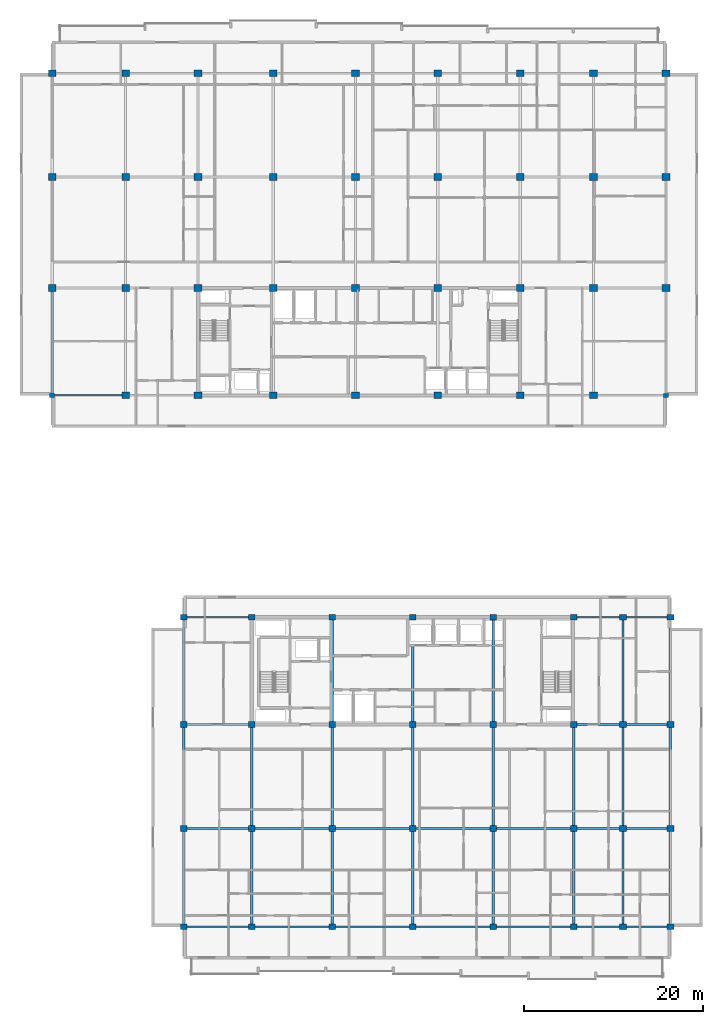
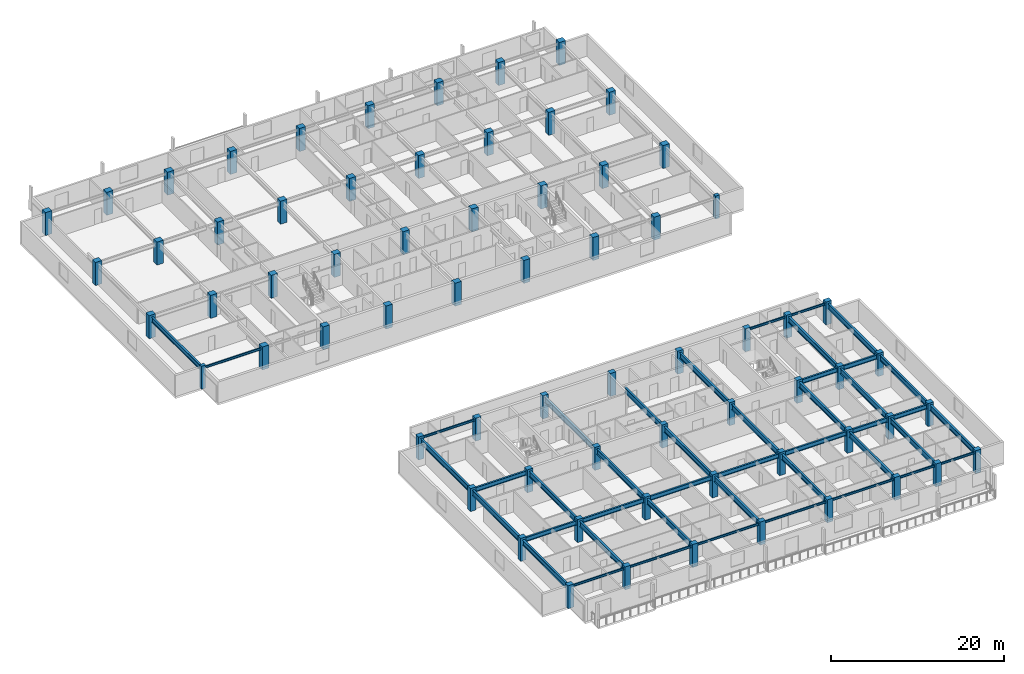
# One storey, part 1 of 22: 68 columns, 44 beams.
"""IFC4 building model written with IfcOpenShell, lengths in metres."""

from ifc_helpers import new_model, si_unit, direction, frame, origin, origin_2d, place, context, subcontext, project, spatial, rectangle, i_section, extrude, material, material_profile, profile_set, type_object, element, save


model = new_model("IFC4")

# Units and contexts
model_context = context("Model", 3, precision=1e-05, world=origin(), true_north=direction((0.0, 1.0)))
body_context = subcontext(model_context, "Body", "Model", "MODEL_VIEW")
ifc_project = project(units=[si_unit("LENGTHUNIT", "METRE"), si_unit("AREAUNIT", "SQUARE_METRE"), si_unit("VOLUMEUNIT", "CUBIC_METRE"), si_unit("PLANEANGLEUNIT", "RADIAN"), si_unit("MASSUNIT", "GRAM", prefix="KILO")], contexts=[model_context])

# Site, building, storey
site_placement = place(None, origin())
site = spatial("IfcSite", under=ifc_project, at=site_placement, CompositionType="ELEMENT")
building_placement = place(site_placement, origin())
building = spatial("IfcBuilding", under=site, at=building_placement, Name="Korimba Cascade Residences", CompositionType="ELEMENT")
storey_placement = place(building_placement, frame((0.0, 0.0, 191.35009765625)))
storey = spatial("IfcBuildingStorey", under=building, at=storey_placement, Name="L55", CompositionType="ELEMENT", Elevation=191.35009765625)

# Columns
ifc_material_1 = material(Name="Concrete C65/80", Category="concrete")
ifc_material_profile_1 = material_profile(ifc_material_1, rectangle(XDim=0.550048828125, YDim=0.449951171875, at=origin_2d()), Name="Concrete C65/80")
ifc_profile_set_1 = profile_set([ifc_material_profile_1], Name="Concrete C65/80")
column_type_1 = type_object("IfcColumnType", Name="COL-PIL-550", PredefinedType="PILASTER", material=ifc_profile_set_1)
for number, where, z_axis, x_axis, name in (
    (1, (59.800048828125, 55.199951171875, 0.0), (0.0, 0.0, 1.0), (1.0, 0.0, 0.0), "L55 Tower 1 Column 1.1"),
    (2, (128.39990234375, 55.199951171875, 0.0), (0.0, 0.0, 1.0), (1.0, 0.0, 0.0), "L55 Tower 1 Column 9.1"),
):
    element("IfcColumn", number, at=place(storey_placement, frame(where, z_axis=z_axis, x_axis=x_axis)), inside=storey, type_object=column_type_1, Name=name, PredefinedType="PILASTER", context=body_context, shape_type="SweptSolid", body=[
        extrude(rectangle(XDim=0.550048828125, YDim=0.449951171875, at=origin_2d()), origin(), (0.0, 0.0, 1.0), 3.25),
    ])
ifc_material_2 = material(Name="Concrete C50/60", Category="concrete")
ifc_material_profile_2 = material_profile(ifc_material_2, rectangle(XDim=0.75, YDim=0.64990234375, at=origin_2d()), Name="Concrete C50/60")
ifc_profile_set_2 = profile_set([ifc_material_profile_2], Name="Concrete C50/60")
column_type_2 = type_object("IfcColumnType", Name="COL-RC-750", PredefinedType="COLUMN", material=ifc_profile_set_2)
for number, where, z_axis, x_axis, name in (
    (3, (74.5, -4.199951171875, 0.0), (0.0, 0.0, 1.0), (1.0, 0.0, 0.0), "L55 Tower 2 Column 1.1"),
    (4, (74.5, 6.800048828125, 0.0), (0.0, 0.0, 1.0), (1.0, 0.0, 0.0), "L55 Tower 2 Column 1.2"),
    (5, (74.5, 18.39990234375, 0.0), (0.0, 0.0, 1.0), (1.0, 0.0, 0.0), "L55 Tower 2 Column 1.3"),
    (6, (74.5, 30.39990234375, 0.0), (0.0, 0.0, 1.0), (1.0, 0.0, 0.0), "L55 Tower 2 Column 1.4"),
    (7, (82.10009765625, -4.199951171875, 0.0), (0.0, 0.0, 1.0), (1.0, 0.0, 0.0), "L55 Tower 2 Column 2.1"),
    (8, (82.10009765625, 6.800048828125, 0.0), (0.0, 0.0, 1.0), (1.0, 0.0, 0.0), "L55 Tower 2 Column 2.2"),
    (9, (82.10009765625, 18.39990234375, 0.0), (0.0, 0.0, 1.0), (1.0, 0.0, 0.0), "L55 Tower 2 Column 2.3"),
    (10, (82.10009765625, 30.39990234375, 0.0), (0.0, 0.0, 1.0), (1.0, 0.0, 0.0), "L55 Tower 2 Column 2.4"),
    (11, (91.10009765625, -4.199951171875, 0.0), (0.0, 0.0, 1.0), (1.0, 0.0, 0.0), "L55 Tower 2 Column 3.1"),
    (12, (91.10009765625, 6.800048828125, 0.0), (0.0, 0.0, 1.0), (1.0, 0.0, 0.0), "L55 Tower 2 Column 3.2"),
    (13, (91.10009765625, 18.39990234375, 0.0), (0.0, 0.0, 1.0), (1.0, 0.0, 0.0), "L55 Tower 2 Column 3.3"),
    (14, (91.10009765625, 30.39990234375, 0.0), (0.0, 0.0, 1.0), (1.0, 0.0, 0.0), "L55 Tower 2 Column 3.4"),
    (15, (100.10009765625, -4.199951171875, 0.0), (0.0, 0.0, 1.0), (1.0, 0.0, 0.0), "L55 Tower 2 Column 4.1"),
    (16, (100.10009765625, 6.800048828125, 0.0), (0.0, 0.0, 1.0), (1.0, 0.0, 0.0), "L55 Tower 2 Column 4.2"),
    (17, (100.10009765625, 18.39990234375, 0.0), (0.0, 0.0, 1.0), (1.0, 0.0, 0.0), "L55 Tower 2 Column 4.3"),
    (18, (100.10009765625, 30.39990234375, 0.0), (0.0, 0.0, 1.0), (1.0, 0.0, 0.0), "L55 Tower 2 Column 4.4"),
    (19, (109.10009765625, -4.199951171875, 0.0), (0.0, 0.0, 1.0), (1.0, 0.0, 0.0), "L55 Tower 2 Column 5.1"),
    (20, (109.10009765625, 6.800048828125, 0.0), (0.0, 0.0, 1.0), (1.0, 0.0, 0.0), "L55 Tower 2 Column 5.2"),
    (21, (109.10009765625, 18.39990234375, 0.0), (0.0, 0.0, 1.0), (1.0, 0.0, 0.0), "L55 Tower 2 Column 5.3"),
    (22, (109.10009765625, 30.39990234375, 0.0), (0.0, 0.0, 1.0), (1.0, 0.0, 0.0), "L55 Tower 2 Column 5.4"),
    (23, (118.10009765625, -4.199951171875, 0.0), (0.0, 0.0, 1.0), (1.0, 0.0, 0.0), "L55 Tower 2 Column 6.1"),
    (24, (118.10009765625, 6.800048828125, 0.0), (0.0, 0.0, 1.0), (1.0, 0.0, 0.0), "L55 Tower 2 Column 6.2"),
    (25, (118.10009765625, 18.39990234375, 0.0), (0.0, 0.0, 1.0), (1.0, 0.0, 0.0), "L55 Tower 2 Column 6.3"),
    (26, (118.10009765625, 30.39990234375, 0.0), (0.0, 0.0, 1.0), (1.0, 0.0, 0.0), "L55 Tower 2 Column 6.4"),
    (27, (123.60009765625, -4.199951171875, 0.0), (0.0, 0.0, 1.0), (1.0, 0.0, 0.0), "L55 Tower 2 Column 7.1"),
    (28, (123.60009765625, 6.800048828125, 0.0), (0.0, 0.0, 1.0), (1.0, 0.0, 0.0), "L55 Tower 2 Column 7.2"),
    (29, (123.60009765625, 18.39990234375, 0.0), (0.0, 0.0, 1.0), (1.0, 0.0, 0.0), "L55 Tower 2 Column 7.3"),
    (30, (123.60009765625, 30.39990234375, 0.0), (0.0, 0.0, 1.0), (1.0, 0.0, 0.0), "L55 Tower 2 Column 7.4"),
    (31, (128.89990234375, -4.199951171875, 0.0), (0.0, 0.0, 1.0), (1.0, 0.0, 0.0), "L55 Tower 2 Column 8.1"),
    (32, (128.89990234375, 6.800048828125, 0.0), (0.0, 0.0, 1.0), (1.0, 0.0, 0.0), "L55 Tower 2 Column 8.2"),
    (33, (128.89990234375, 18.39990234375, 0.0), (0.0, 0.0, 1.0), (1.0, 0.0, 0.0), "L55 Tower 2 Column 8.3"),
    (34, (128.89990234375, 30.39990234375, 0.0), (0.0, 0.0, 1.0), (1.0, 0.0, 0.0), "L55 Tower 2 Column 8.4"),
):
    element("IfcColumn", number, at=place(storey_placement, frame(where, z_axis=z_axis, x_axis=x_axis)), inside=storey, type_object=column_type_2, Name=name, PredefinedType="COLUMN", context=body_context, shape_type="SweptSolid", body=[
        extrude(rectangle(XDim=0.75, YDim=0.64990234375, at=origin_2d()), origin(), (0.0, 0.0, 1.0), 3.25),
    ])
ifc_material_profile_3 = material_profile(ifc_material_1, rectangle(XDim=0.85009765625, YDim=0.75, at=origin_2d()), Name="Concrete C65/80")
ifc_profile_set_3 = profile_set([ifc_material_profile_3], Name="Concrete C65/80")
column_type_3 = type_object("IfcColumnType", Name="COL-RC-850", PredefinedType="COLUMN", material=ifc_profile_set_3)
for number, where, z_axis, x_axis, name in (
    (35, (59.800048828125, 67.199951171875, 0.0), (0.0, 0.0, 1.0), (1.0, 0.0, 0.0), "L55 Tower 1 Column 1.2"),
    (36, (59.800048828125, 79.60009765625, 0.0), (0.0, 0.0, 1.0), (1.0, 0.0, 0.0), "L55 Tower 1 Column 1.3"),
    (37, (59.800048828125, 91.199951171875, 0.0), (0.0, 0.0, 1.0), (1.0, 0.0, 0.0), "L55 Tower 1 Column 1.4"),
    (38, (68.0, 55.199951171875, 0.0), (0.0, 0.0, 1.0), (1.0, 0.0, 0.0), "L55 Tower 1 Column 2.1"),
    (39, (68.0, 67.199951171875, 0.0), (0.0, 0.0, 1.0), (1.0, 0.0, 0.0), "L55 Tower 1 Column 2.2"),
    (40, (68.0, 79.60009765625, 0.0), (0.0, 0.0, 1.0), (1.0, 0.0, 0.0), "L55 Tower 1 Column 2.3"),
    (41, (68.0, 91.199951171875, 0.0), (0.0, 0.0, 1.0), (1.0, 0.0, 0.0), "L55 Tower 1 Column 2.4"),
    (42, (76.10009765625, 55.199951171875, 0.0), (0.0, 0.0, 1.0), (1.0, 0.0, 0.0), "L55 Tower 1 Column 3.1"),
    (43, (76.10009765625, 67.199951171875, 0.0), (0.0, 0.0, 1.0), (1.0, 0.0, 0.0), "L55 Tower 1 Column 3.2"),
    (44, (76.10009765625, 79.60009765625, 0.0), (0.0, 0.0, 1.0), (1.0, 0.0, 0.0), "L55 Tower 1 Column 3.3"),
    (45, (76.10009765625, 91.199951171875, 0.0), (0.0, 0.0, 1.0), (1.0, 0.0, 0.0), "L55 Tower 1 Column 3.4"),
    (46, (84.5, 55.199951171875, 0.0), (0.0, 0.0, 1.0), (1.0, 0.0, 0.0), "L55 Tower 1 Column 4.1"),
    (47, (84.5, 67.199951171875, 0.0), (0.0, 0.0, 1.0), (1.0, 0.0, 0.0), "L55 Tower 1 Column 4.2"),
    (48, (84.5, 79.60009765625, 0.0), (0.0, 0.0, 1.0), (1.0, 0.0, 0.0), "L55 Tower 1 Column 4.3"),
    (49, (84.5, 91.199951171875, 0.0), (0.0, 0.0, 1.0), (1.0, 0.0, 0.0), "L55 Tower 1 Column 4.4"),
    (50, (93.699951171875, 55.199951171875, 0.0), (0.0, 0.0, 1.0), (1.0, 0.0, 0.0), "L55 Tower 1 Column 5.1"),
    (51, (93.699951171875, 67.199951171875, 0.0), (0.0, 0.0, 1.0), (1.0, 0.0, 0.0), "L55 Tower 1 Column 5.2"),
    (52, (93.699951171875, 79.60009765625, 0.0), (0.0, 0.0, 1.0), (1.0, 0.0, 0.0), "L55 Tower 1 Column 5.3"),
    (53, (93.699951171875, 91.199951171875, 0.0), (0.0, 0.0, 1.0), (1.0, 0.0, 0.0), "L55 Tower 1 Column 5.4"),
    (54, (102.89990234375, 55.199951171875, 0.0), (0.0, 0.0, 1.0), (1.0, 0.0, 0.0), "L55 Tower 1 Column 6.1"),
    (55, (102.89990234375, 67.199951171875, 0.0), (0.0, 0.0, 1.0), (1.0, 0.0, 0.0), "L55 Tower 1 Column 6.2"),
    (56, (102.89990234375, 79.60009765625, 0.0), (0.0, 0.0, 1.0), (1.0, 0.0, 0.0), "L55 Tower 1 Column 6.3"),
    (57, (102.89990234375, 91.199951171875, 0.0), (0.0, 0.0, 1.0), (1.0, 0.0, 0.0), "L55 Tower 1 Column 6.4"),
    (58, (112.10009765625, 55.199951171875, 0.0), (0.0, 0.0, 1.0), (1.0, 0.0, 0.0), "L55 Tower 1 Column 7.1"),
    (59, (112.10009765625, 67.199951171875, 0.0), (0.0, 0.0, 1.0), (1.0, 0.0, 0.0), "L55 Tower 1 Column 7.2"),
    (60, (112.10009765625, 79.60009765625, 0.0), (0.0, 0.0, 1.0), (1.0, 0.0, 0.0), "L55 Tower 1 Column 7.3"),
    (61, (112.10009765625, 91.199951171875, 0.0), (0.0, 0.0, 1.0), (1.0, 0.0, 0.0), "L55 Tower 1 Column 7.4"),
    (62, (120.300048828125, 55.199951171875, 0.0), (0.0, 0.0, 1.0), (1.0, 0.0, 0.0), "L55 Tower 1 Column 8.1"),
    (63, (120.300048828125, 67.199951171875, 0.0), (0.0, 0.0, 1.0), (1.0, 0.0, 0.0), "L55 Tower 1 Column 8.2"),
    (64, (120.300048828125, 79.60009765625, 0.0), (0.0, 0.0, 1.0), (1.0, 0.0, 0.0), "L55 Tower 1 Column 8.3"),
    (65, (120.300048828125, 91.199951171875, 0.0), (0.0, 0.0, 1.0), (1.0, 0.0, 0.0), "L55 Tower 1 Column 8.4"),
    (66, (128.39990234375, 67.199951171875, 0.0), (0.0, 0.0, 1.0), (1.0, 0.0, 0.0), "L55 Tower 1 Column 9.2"),
    (67, (128.39990234375, 79.60009765625, 0.0), (0.0, 0.0, 1.0), (1.0, 0.0, 0.0), "L55 Tower 1 Column 9.3"),
    (68, (128.39990234375, 91.199951171875, 0.0), (0.0, 0.0, 1.0), (1.0, 0.0, 0.0), "L55 Tower 1 Column 9.4"),
):
    element("IfcColumn", number, at=place(storey_placement, frame(where, z_axis=z_axis, x_axis=x_axis)), inside=storey, type_object=column_type_3, Name=name, PredefinedType="COLUMN", context=body_context, shape_type="SweptSolid", body=[
        extrude(rectangle(XDim=0.85009765625, YDim=0.75, at=origin_2d()), origin(), (0.0, 0.0, 1.0), 3.25),
    ])

# Beams
ifc_material_3 = material(Name="Steel S355", Category="steel")
ifc_material_profile_4 = material_profile(ifc_material_3, i_section(OverallWidth=0.165771484375, OverallDepth=0.306640625, WebThickness=0.006591796875, FlangeThickness=0.01171875, FilletRadius=0.0087890625, at=origin_2d()), Name="Steel S355")
ifc_profile_set_4 = profile_set([ifc_material_profile_4], Name="Steel S355")
beam_type_1 = type_object("IfcBeamType", Name="BM-STL-UB305", PredefinedType="SPANDREL", material=ifc_profile_set_4)
beam_1_placement = place(storey_placement, frame((60.074951171875, 55.199951171875, 2.816650390625), z_axis=(1.0, 0.0, 0.0), x_axis=(0.0, 1.0, 0.0)))
element("IfcBeam", 69, at=beam_1_placement, inside=storey, type_object=beam_type_1, Name="L55 T1 E-W Girder Y1 Bay 1", PredefinedType="SPANDREL", context=body_context, shape_type="SweptSolid", body=[
    extrude(i_section(OverallWidth=0.165771484375, OverallDepth=0.306640625, WebThickness=0.006591796875, FlangeThickness=0.01171875, FilletRadius=0.0087890625, at=origin_2d()), origin(), (0.0, 0.0, 1.0), 7.5),
])
beam_2_placement = place(storey_placement, frame((74.875, -4.199951171875, 2.816650390625), z_axis=(1.0, 0.0, 0.0), x_axis=(0.0, 1.0, 0.0)))
element("IfcBeam", 70, at=beam_2_placement, inside=storey, type_object=beam_type_1, Name="L55 T2 E-W Girder Y1 Bay 1", PredefinedType="SPANDREL", context=body_context, shape_type="SweptSolid", body=[
    extrude(i_section(OverallWidth=0.165771484375, OverallDepth=0.306640625, WebThickness=0.006591796875, FlangeThickness=0.01171875, FilletRadius=0.0087890625, at=origin_2d()), origin(), (0.0, 0.0, 1.0), 6.85009765625),
])
for number, where, z_axis, x_axis, name in (
    (71, (82.47509765625, -4.199951171875, 2.816650390625), (1.0, 0.0, 0.0), (0.0, 1.0, 0.0), "L55 T2 E-W Girder Y1 Bay 2"),
    (72, (91.47509765625, -4.199951171875, 2.816650390625), (1.0, 0.0, 0.0), (0.0, 1.0, 0.0), "L55 T2 E-W Girder Y1 Bay 3"),
    (73, (100.47509765625, -4.199951171875, 2.816650390625), (1.0, 0.0, 0.0), (0.0, 1.0, 0.0), "L55 T2 E-W Girder Y1 Bay 4"),
    (74, (109.47509765625, -4.199951171875, 2.816650390625), (1.0, 0.0, 0.0), (0.0, 1.0, 0.0), "L55 T2 E-W Girder Y1 Bay 5"),
):
    element("IfcBeam", number, at=place(storey_placement, frame(where, z_axis=z_axis, x_axis=x_axis)), inside=storey, type_object=beam_type_1, Name=name, PredefinedType="SPANDREL", context=body_context, shape_type="SweptSolid", body=[
        extrude(i_section(OverallWidth=0.165771484375, OverallDepth=0.306640625, WebThickness=0.006591796875, FlangeThickness=0.01171875, FilletRadius=0.0087890625, at=origin_2d()), origin(), (0.0, 0.0, 1.0), 8.25),
    ])
beam_3_placement = place(storey_placement, frame((118.47509765625, -4.199951171875, 2.816650390625), z_axis=(1.0, 0.0, 0.0), x_axis=(0.0, 1.0, 0.0)))
element("IfcBeam", 75, at=beam_3_placement, inside=storey, type_object=beam_type_1, Name="L55 T2 E-W Girder Y1 Bay 6", PredefinedType="SPANDREL", context=body_context, shape_type="SweptSolid", body=[
    extrude(i_section(OverallWidth=0.165771484375, OverallDepth=0.306640625, WebThickness=0.006591796875, FlangeThickness=0.01171875, FilletRadius=0.0087890625, at=origin_2d()), origin(), (0.0, 0.0, 1.0), 4.75),
])
beam_4_placement = place(storey_placement, frame((123.97509765625, -4.199951171875, 2.816650390625), z_axis=(1.0, 0.0, 0.0), x_axis=(0.0, 1.0, 0.0)))
element("IfcBeam", 76, at=beam_4_placement, inside=storey, type_object=beam_type_1, Name="L55 T2 E-W Girder Y1 Bay 7", PredefinedType="SPANDREL", context=body_context, shape_type="SweptSolid", body=[
    extrude(i_section(OverallWidth=0.165771484375, OverallDepth=0.306640625, WebThickness=0.006591796875, FlangeThickness=0.01171875, FilletRadius=0.0087890625, at=origin_2d()), origin(), (0.0, 0.0, 1.0), 4.5498046875),
])
beam_5_placement = place(storey_placement, frame((74.875, 30.39990234375, 2.816650390625), z_axis=(1.0, 0.0, 0.0), x_axis=(0.0, 1.0, 0.0)))
element("IfcBeam", 77, at=beam_5_placement, inside=storey, type_object=beam_type_1, Name="L55 T2 E-W Girder Y4 Bay 1", PredefinedType="SPANDREL", context=body_context, shape_type="SweptSolid", body=[
    extrude(i_section(OverallWidth=0.165771484375, OverallDepth=0.306640625, WebThickness=0.006591796875, FlangeThickness=0.01171875, FilletRadius=0.0087890625, at=origin_2d()), origin(), (0.0, 0.0, 1.0), 6.85009765625),
])
beam_6_placement = place(storey_placement, frame((118.47509765625, 30.39990234375, 2.816650390625), z_axis=(1.0, 0.0, 0.0), x_axis=(0.0, 1.0, 0.0)))
element("IfcBeam", 78, at=beam_6_placement, inside=storey, type_object=beam_type_1, Name="L55 T2 E-W Girder Y4 Bay 6", PredefinedType="SPANDREL", context=body_context, shape_type="SweptSolid", body=[
    extrude(i_section(OverallWidth=0.165771484375, OverallDepth=0.306640625, WebThickness=0.006591796875, FlangeThickness=0.01171875, FilletRadius=0.0087890625, at=origin_2d()), origin(), (0.0, 0.0, 1.0), 4.75),
])
beam_7_placement = place(storey_placement, frame((123.97509765625, 30.39990234375, 2.816650390625), z_axis=(1.0, 0.0, 0.0), x_axis=(0.0, 1.0, 0.0)))
element("IfcBeam", 79, at=beam_7_placement, inside=storey, type_object=beam_type_1, Name="L55 T2 E-W Girder Y4 Bay 7", PredefinedType="SPANDREL", context=body_context, shape_type="SweptSolid", body=[
    extrude(i_section(OverallWidth=0.165771484375, OverallDepth=0.306640625, WebThickness=0.006591796875, FlangeThickness=0.01171875, FilletRadius=0.0087890625, at=origin_2d()), origin(), (0.0, 0.0, 1.0), 4.5498046875),
])
ifc_material_profile_5 = material_profile(ifc_material_3, i_section(OverallWidth=0.22900390625, OverallDepth=0.6123046875, WebThickness=0.011962890625, FlangeThickness=0.01953125, FilletRadius=0.0126953125, at=origin_2d()), Name="Steel S355")
ifc_profile_set_5 = profile_set([ifc_material_profile_5], Name="Steel S355")
beam_type_2 = type_object("IfcBeamType", Name="BM-STL-UB610B", PredefinedType="BEAM", material=ifc_profile_set_5)
beam_8_placement = place(storey_placement, frame((74.875, 6.800048828125, 2.663818359375), z_axis=(1.0, 0.0, 0.0), x_axis=(0.0, 1.0, 0.0)))
element("IfcBeam", 80, at=beam_8_placement, inside=storey, type_object=beam_type_2, Name="L55 T2 E-W Girder Y2 Bay 1", PredefinedType="BEAM", context=body_context, shape_type="SweptSolid", body=[
    extrude(i_section(OverallWidth=0.22900390625, OverallDepth=0.6123046875, WebThickness=0.011962890625, FlangeThickness=0.01953125, FilletRadius=0.0126953125, at=origin_2d()), origin(), (0.0, 0.0, 1.0), 6.85009765625),
])
for number, where, z_axis, x_axis, name in (
    (81, (82.47509765625, 6.800048828125, 2.663818359375), (1.0, 0.0, 0.0), (0.0, 1.0, 0.0), "L55 T2 E-W Girder Y2 Bay 2"),
    (82, (91.47509765625, 6.800048828125, 2.663818359375), (1.0, 0.0, 0.0), (0.0, 1.0, 0.0), "L55 T2 E-W Girder Y2 Bay 3"),
    (83, (100.47509765625, 6.800048828125, 2.663818359375), (1.0, 0.0, 0.0), (0.0, 1.0, 0.0), "L55 T2 E-W Girder Y2 Bay 4"),
    (84, (109.47509765625, 6.800048828125, 2.663818359375), (1.0, 0.0, 0.0), (0.0, 1.0, 0.0), "L55 T2 E-W Girder Y2 Bay 5"),
):
    element("IfcBeam", number, at=place(storey_placement, frame(where, z_axis=z_axis, x_axis=x_axis)), inside=storey, type_object=beam_type_2, Name=name, PredefinedType="BEAM", context=body_context, shape_type="SweptSolid", body=[
        extrude(i_section(OverallWidth=0.22900390625, OverallDepth=0.6123046875, WebThickness=0.011962890625, FlangeThickness=0.01953125, FilletRadius=0.0126953125, at=origin_2d()), origin(), (0.0, 0.0, 1.0), 8.25),
    ])
beam_9_placement = place(storey_placement, frame((118.47509765625, 6.800048828125, 2.663818359375), z_axis=(1.0, 0.0, 0.0), x_axis=(0.0, 1.0, 0.0)))
element("IfcBeam", 85, at=beam_9_placement, inside=storey, type_object=beam_type_2, Name="L55 T2 E-W Girder Y2 Bay 6", PredefinedType="BEAM", context=body_context, shape_type="SweptSolid", body=[
    extrude(i_section(OverallWidth=0.22900390625, OverallDepth=0.6123046875, WebThickness=0.011962890625, FlangeThickness=0.01953125, FilletRadius=0.0126953125, at=origin_2d()), origin(), (0.0, 0.0, 1.0), 4.75),
])
beam_10_placement = place(storey_placement, frame((123.97509765625, 6.800048828125, 2.663818359375), z_axis=(1.0, 0.0, 0.0), x_axis=(0.0, 1.0, 0.0)))
element("IfcBeam", 86, at=beam_10_placement, inside=storey, type_object=beam_type_2, Name="L55 T2 E-W Girder Y2 Bay 7", PredefinedType="BEAM", context=body_context, shape_type="SweptSolid", body=[
    extrude(i_section(OverallWidth=0.22900390625, OverallDepth=0.6123046875, WebThickness=0.011962890625, FlangeThickness=0.01953125, FilletRadius=0.0126953125, at=origin_2d()), origin(), (0.0, 0.0, 1.0), 4.5498046875),
])
beam_11_placement = place(storey_placement, frame((74.875, 18.39990234375, 2.663818359375), z_axis=(1.0, 0.0, 0.0), x_axis=(0.0, 1.0, 0.0)))
element("IfcBeam", 87, at=beam_11_placement, inside=storey, type_object=beam_type_2, Name="L55 T2 E-W Girder Y3 Bay 1", PredefinedType="BEAM", context=body_context, shape_type="SweptSolid", body=[
    extrude(i_section(OverallWidth=0.22900390625, OverallDepth=0.6123046875, WebThickness=0.011962890625, FlangeThickness=0.01953125, FilletRadius=0.0126953125, at=origin_2d()), origin(), (0.0, 0.0, 1.0), 6.85009765625),
])
beam_12_placement = place(storey_placement, frame((118.47509765625, 18.39990234375, 2.663818359375), z_axis=(1.0, 0.0, 0.0), x_axis=(0.0, 1.0, 0.0)))
element("IfcBeam", 88, at=beam_12_placement, inside=storey, type_object=beam_type_2, Name="L55 T2 E-W Girder Y3 Bay 6", PredefinedType="BEAM", context=body_context, shape_type="SweptSolid", body=[
    extrude(i_section(OverallWidth=0.22900390625, OverallDepth=0.6123046875, WebThickness=0.011962890625, FlangeThickness=0.01953125, FilletRadius=0.0126953125, at=origin_2d()), origin(), (0.0, 0.0, 1.0), 4.75),
])
beam_13_placement = place(storey_placement, frame((123.97509765625, 18.39990234375, 2.663818359375), z_axis=(1.0, 0.0, 0.0), x_axis=(0.0, 1.0, 0.0)))
element("IfcBeam", 89, at=beam_13_placement, inside=storey, type_object=beam_type_2, Name="L55 T2 E-W Girder Y3 Bay 7", PredefinedType="BEAM", context=body_context, shape_type="SweptSolid", body=[
    extrude(i_section(OverallWidth=0.22900390625, OverallDepth=0.6123046875, WebThickness=0.011962890625, FlangeThickness=0.01953125, FilletRadius=0.0126953125, at=origin_2d()), origin(), (0.0, 0.0, 1.0), 4.5498046875),
])
ifc_material_profile_6 = material_profile(ifc_material_3, i_section(OverallWidth=0.255859375, OverallDepth=0.69287109375, WebThickness=0.014404296875, FlangeThickness=0.023681640625, FilletRadius=0.01513671875, at=origin_2d()), Name="Steel S355")
ifc_profile_set_6 = profile_set([ifc_material_profile_6], Name="Steel S355")
beam_type_3 = type_object("IfcBeamType", Name="BM-STL-UB686", PredefinedType="BEAM", material=ifc_profile_set_6)
beam_14_placement = place(storey_placement, frame((59.800048828125, 55.425048828125, 2.623291015625), z_axis=(0.0, 1.0, 0.0), x_axis=(-1.0, 0.0, 0.0)))
element("IfcBeam", 90, at=beam_14_placement, inside=storey, type_object=beam_type_3, Name="L55 T1 N-S Girder X1 Seg 1", PredefinedType="BEAM", context=body_context, shape_type="SweptSolid", body=[
    extrude(i_section(OverallWidth=0.255859375, OverallDepth=0.69287109375, WebThickness=0.014404296875, FlangeThickness=0.023681640625, FilletRadius=0.01513671875, at=origin_2d()), origin(), (0.0, 0.0, 1.0), 11.39990234375),
])
ifc_material_profile_7 = material_profile(ifc_material_3, i_section(OverallWidth=0.26806640625, OverallDepth=0.769775390625, WebThickness=0.015625, FlangeThickness=0.025390625, FilletRadius=0.0166015625, at=origin_2d()), Name="Steel S355")
ifc_profile_set_7 = profile_set([ifc_material_profile_7], Name="Steel S355")
beam_type_4 = type_object("IfcBeamType", Name="BM-STL-UB762", PredefinedType="BEAM", material=ifc_profile_set_7)
beam_15_placement = place(storey_placement, frame((74.5, -3.875, 2.5849609375), z_axis=(0.0, 1.0, 0.0), x_axis=(-1.0, 0.0, 0.0)))
element("IfcBeam", 91, at=beam_15_placement, inside=storey, type_object=beam_type_4, Name="L55 T2 N-S Girder X1 Seg 1", PredefinedType="BEAM", context=body_context, shape_type="SweptSolid", body=[
    extrude(i_section(OverallWidth=0.26806640625, OverallDepth=0.769775390625, WebThickness=0.015625, FlangeThickness=0.025390625, FilletRadius=0.0166015625, at=origin_2d()), origin(), (0.0, 0.0, 1.0), 10.35009765625),
])
beam_16_placement = place(storey_placement, frame((74.5, 7.125, 2.5849609375), z_axis=(0.0, 1.0, 0.0), x_axis=(-1.0, 0.0, 0.0)))
element("IfcBeam", 92, at=beam_16_placement, inside=storey, type_object=beam_type_4, Name="L55 T2 N-S Girder X1 Seg 2", PredefinedType="BEAM", context=body_context, shape_type="SweptSolid", body=[
    extrude(i_section(OverallWidth=0.26806640625, OverallDepth=0.769775390625, WebThickness=0.015625, FlangeThickness=0.025390625, FilletRadius=0.0166015625, at=origin_2d()), origin(), (0.0, 0.0, 1.0), 10.949951171875),
])
beam_17_placement = place(storey_placement, frame((74.5, 18.72509765625, 2.5849609375), z_axis=(0.0, 1.0, 0.0), x_axis=(-1.0, 0.0, 0.0)))
element("IfcBeam", 93, at=beam_17_placement, inside=storey, type_object=beam_type_4, Name="L55 T2 N-S Girder X1 Seg 3", PredefinedType="BEAM", context=body_context, shape_type="SweptSolid", body=[
    extrude(i_section(OverallWidth=0.26806640625, OverallDepth=0.769775390625, WebThickness=0.015625, FlangeThickness=0.025390625, FilletRadius=0.0166015625, at=origin_2d()), origin(), (0.0, 0.0, 1.0), 11.349853515625),
])
beam_18_placement = place(storey_placement, frame((82.10009765625, -3.875, 2.5849609375), z_axis=(0.0, 1.0, 0.0), x_axis=(-1.0, 0.0, 0.0)))
element("IfcBeam", 94, at=beam_18_placement, inside=storey, type_object=beam_type_4, Name="L55 T2 N-S Girder X2 Seg 1", PredefinedType="BEAM", context=body_context, shape_type="SweptSolid", body=[
    extrude(i_section(OverallWidth=0.26806640625, OverallDepth=0.769775390625, WebThickness=0.015625, FlangeThickness=0.025390625, FilletRadius=0.0166015625, at=origin_2d()), origin(), (0.0, 0.0, 1.0), 10.35009765625),
])
beam_19_placement = place(storey_placement, frame((82.10009765625, 7.125, 2.5849609375), z_axis=(0.0, 1.0, 0.0), x_axis=(-1.0, 0.0, 0.0)))
element("IfcBeam", 95, at=beam_19_placement, inside=storey, type_object=beam_type_4, Name="L55 T2 N-S Girder X2 Seg 2", PredefinedType="BEAM", context=body_context, shape_type="SweptSolid", body=[
    extrude(i_section(OverallWidth=0.26806640625, OverallDepth=0.769775390625, WebThickness=0.015625, FlangeThickness=0.025390625, FilletRadius=0.0166015625, at=origin_2d()), origin(), (0.0, 0.0, 1.0), 10.949951171875),
])
beam_20_placement = place(storey_placement, frame((91.10009765625, -3.875, 2.5849609375), z_axis=(0.0, 1.0, 0.0), x_axis=(-1.0, 0.0, 0.0)))
element("IfcBeam", 96, at=beam_20_placement, inside=storey, type_object=beam_type_4, Name="L55 T2 N-S Girder X3 Seg 1", PredefinedType="BEAM", context=body_context, shape_type="SweptSolid", body=[
    extrude(i_section(OverallWidth=0.26806640625, OverallDepth=0.769775390625, WebThickness=0.015625, FlangeThickness=0.025390625, FilletRadius=0.0166015625, at=origin_2d()), origin(), (0.0, 0.0, 1.0), 10.35009765625),
])
beam_21_placement = place(storey_placement, frame((91.10009765625, 7.125, 2.5849609375), z_axis=(0.0, 1.0, 0.0), x_axis=(-1.0, 0.0, 0.0)))
element("IfcBeam", 97, at=beam_21_placement, inside=storey, type_object=beam_type_4, Name="L55 T2 N-S Girder X3 Seg 2", PredefinedType="BEAM", context=body_context, shape_type="SweptSolid", body=[
    extrude(i_section(OverallWidth=0.26806640625, OverallDepth=0.769775390625, WebThickness=0.015625, FlangeThickness=0.025390625, FilletRadius=0.0166015625, at=origin_2d()), origin(), (0.0, 0.0, 1.0), 10.949951171875),
])
beam_22_placement = place(storey_placement, frame((91.10009765625, 18.72509765625, 2.5849609375), z_axis=(0.0, 1.0, 0.0), x_axis=(-1.0, 0.0, 0.0)))
element("IfcBeam", 98, at=beam_22_placement, inside=storey, type_object=beam_type_4, Name="L55 T2 N-S Girder X3 Seg 3", PredefinedType="BEAM", context=body_context, shape_type="SweptSolid", body=[
    extrude(i_section(OverallWidth=0.26806640625, OverallDepth=0.769775390625, WebThickness=0.015625, FlangeThickness=0.025390625, FilletRadius=0.0166015625, at=origin_2d()), origin(), (0.0, 0.0, 1.0), 11.349853515625),
])
beam_23_placement = place(storey_placement, frame((100.10009765625, -3.875, 2.5849609375), z_axis=(0.0, 1.0, 0.0), x_axis=(-1.0, 0.0, 0.0)))
element("IfcBeam", 99, at=beam_23_placement, inside=storey, type_object=beam_type_4, Name="L55 T2 N-S Girder X4 Seg 1", PredefinedType="BEAM", context=body_context, shape_type="SweptSolid", body=[
    extrude(i_section(OverallWidth=0.26806640625, OverallDepth=0.769775390625, WebThickness=0.015625, FlangeThickness=0.025390625, FilletRadius=0.0166015625, at=origin_2d()), origin(), (0.0, 0.0, 1.0), 10.35009765625),
])
beam_24_placement = place(storey_placement, frame((100.10009765625, 7.125, 2.5849609375), z_axis=(0.0, 1.0, 0.0), x_axis=(-1.0, 0.0, 0.0)))
element("IfcBeam", 100, at=beam_24_placement, inside=storey, type_object=beam_type_4, Name="L55 T2 N-S Girder X4 Seg 2", PredefinedType="BEAM", context=body_context, shape_type="SweptSolid", body=[
    extrude(i_section(OverallWidth=0.26806640625, OverallDepth=0.769775390625, WebThickness=0.015625, FlangeThickness=0.025390625, FilletRadius=0.0166015625, at=origin_2d()), origin(), (0.0, 0.0, 1.0), 10.949951171875),
])
beam_25_placement = place(storey_placement, frame((100.10009765625, 18.72509765625, 2.5849609375), z_axis=(0.0, 1.0, 0.0), x_axis=(-1.0, 0.0, 0.0)))
element("IfcBeam", 101, at=beam_25_placement, inside=storey, type_object=beam_type_4, Name="L55 T2 N-S Girder X4 Seg 3", PredefinedType="BEAM", context=body_context, shape_type="SweptSolid", body=[
    extrude(i_section(OverallWidth=0.26806640625, OverallDepth=0.769775390625, WebThickness=0.015625, FlangeThickness=0.025390625, FilletRadius=0.0166015625, at=origin_2d()), origin(), (0.0, 0.0, 1.0), 8.614990234375),
])
beam_26_placement = place(storey_placement, frame((109.10009765625, -3.875, 2.5849609375), z_axis=(0.0, 1.0, 0.0), x_axis=(-1.0, 0.0, 0.0)))
element("IfcBeam", 102, at=beam_26_placement, inside=storey, type_object=beam_type_4, Name="L55 T2 N-S Girder X5 Seg 1", PredefinedType="BEAM", context=body_context, shape_type="SweptSolid", body=[
    extrude(i_section(OverallWidth=0.26806640625, OverallDepth=0.769775390625, WebThickness=0.015625, FlangeThickness=0.025390625, FilletRadius=0.0166015625, at=origin_2d()), origin(), (0.0, 0.0, 1.0), 10.35009765625),
])
beam_27_placement = place(storey_placement, frame((109.10009765625, 7.125, 2.5849609375), z_axis=(0.0, 1.0, 0.0), x_axis=(-1.0, 0.0, 0.0)))
element("IfcBeam", 103, at=beam_27_placement, inside=storey, type_object=beam_type_4, Name="L55 T2 N-S Girder X5 Seg 2", PredefinedType="BEAM", context=body_context, shape_type="SweptSolid", body=[
    extrude(i_section(OverallWidth=0.26806640625, OverallDepth=0.769775390625, WebThickness=0.015625, FlangeThickness=0.025390625, FilletRadius=0.0166015625, at=origin_2d()), origin(), (0.0, 0.0, 1.0), 10.949951171875),
])
beam_28_placement = place(storey_placement, frame((109.10009765625, 18.72509765625, 2.5849609375), z_axis=(0.0, 1.0, 0.0), x_axis=(-1.0, 0.0, 0.0)))
element("IfcBeam", 104, at=beam_28_placement, inside=storey, type_object=beam_type_4, Name="L55 T2 N-S Girder X5 Seg 3", PredefinedType="BEAM", context=body_context, shape_type="SweptSolid", body=[
    extrude(i_section(OverallWidth=0.26806640625, OverallDepth=0.769775390625, WebThickness=0.015625, FlangeThickness=0.025390625, FilletRadius=0.0166015625, at=origin_2d()), origin(), (0.0, 0.0, 1.0), 11.349853515625),
])
beam_29_placement = place(storey_placement, frame((118.10009765625, -3.875, 2.5849609375), z_axis=(0.0, 1.0, 0.0), x_axis=(-1.0, 0.0, 0.0)))
element("IfcBeam", 105, at=beam_29_placement, inside=storey, type_object=beam_type_4, Name="L55 T2 N-S Girder X6 Seg 1", PredefinedType="BEAM", context=body_context, shape_type="SweptSolid", body=[
    extrude(i_section(OverallWidth=0.26806640625, OverallDepth=0.769775390625, WebThickness=0.015625, FlangeThickness=0.025390625, FilletRadius=0.0166015625, at=origin_2d()), origin(), (0.0, 0.0, 1.0), 10.35009765625),
])
beam_30_placement = place(storey_placement, frame((118.10009765625, 7.125, 2.5849609375), z_axis=(0.0, 1.0, 0.0), x_axis=(-1.0, 0.0, 0.0)))
element("IfcBeam", 106, at=beam_30_placement, inside=storey, type_object=beam_type_4, Name="L55 T2 N-S Girder X6 Seg 2", PredefinedType="BEAM", context=body_context, shape_type="SweptSolid", body=[
    extrude(i_section(OverallWidth=0.26806640625, OverallDepth=0.769775390625, WebThickness=0.015625, FlangeThickness=0.025390625, FilletRadius=0.0166015625, at=origin_2d()), origin(), (0.0, 0.0, 1.0), 10.949951171875),
])
beam_31_placement = place(storey_placement, frame((123.60009765625, -3.875, 2.5849609375), z_axis=(0.0, 1.0, 0.0), x_axis=(-1.0, 0.0, 0.0)))
element("IfcBeam", 107, at=beam_31_placement, inside=storey, type_object=beam_type_4, Name="L55 T2 N-S Girder X7 Seg 1", PredefinedType="BEAM", context=body_context, shape_type="SweptSolid", body=[
    extrude(i_section(OverallWidth=0.26806640625, OverallDepth=0.769775390625, WebThickness=0.015625, FlangeThickness=0.025390625, FilletRadius=0.0166015625, at=origin_2d()), origin(), (0.0, 0.0, 1.0), 10.35009765625),
])
beam_32_placement = place(storey_placement, frame((123.60009765625, 7.125, 2.5849609375), z_axis=(0.0, 1.0, 0.0), x_axis=(-1.0, 0.0, 0.0)))
element("IfcBeam", 108, at=beam_32_placement, inside=storey, type_object=beam_type_4, Name="L55 T2 N-S Girder X7 Seg 2", PredefinedType="BEAM", context=body_context, shape_type="SweptSolid", body=[
    extrude(i_section(OverallWidth=0.26806640625, OverallDepth=0.769775390625, WebThickness=0.015625, FlangeThickness=0.025390625, FilletRadius=0.0166015625, at=origin_2d()), origin(), (0.0, 0.0, 1.0), 10.949951171875),
])
beam_33_placement = place(storey_placement, frame((123.60009765625, 18.72509765625, 2.5849609375), z_axis=(0.0, 1.0, 0.0), x_axis=(-1.0, 0.0, 0.0)))
element("IfcBeam", 109, at=beam_33_placement, inside=storey, type_object=beam_type_4, Name="L55 T2 N-S Girder X7 Seg 3", PredefinedType="BEAM", context=body_context, shape_type="SweptSolid", body=[
    extrude(i_section(OverallWidth=0.26806640625, OverallDepth=0.769775390625, WebThickness=0.015625, FlangeThickness=0.025390625, FilletRadius=0.0166015625, at=origin_2d()), origin(), (0.0, 0.0, 1.0), 11.349853515625),
])
beam_34_placement = place(storey_placement, frame((128.89990234375, -3.875, 2.5849609375), z_axis=(0.0, 1.0, 0.0), x_axis=(-1.0, 0.0, 0.0)))
element("IfcBeam", 110, at=beam_34_placement, inside=storey, type_object=beam_type_4, Name="L55 T2 N-S Girder X8 Seg 1", PredefinedType="BEAM", context=body_context, shape_type="SweptSolid", body=[
    extrude(i_section(OverallWidth=0.26806640625, OverallDepth=0.769775390625, WebThickness=0.015625, FlangeThickness=0.025390625, FilletRadius=0.0166015625, at=origin_2d()), origin(), (0.0, 0.0, 1.0), 10.35009765625),
])
beam_35_placement = place(storey_placement, frame((128.89990234375, 7.125, 2.5849609375), z_axis=(0.0, 1.0, 0.0), x_axis=(-1.0, 0.0, 0.0)))
element("IfcBeam", 111, at=beam_35_placement, inside=storey, type_object=beam_type_4, Name="L55 T2 N-S Girder X8 Seg 2", PredefinedType="BEAM", context=body_context, shape_type="SweptSolid", body=[
    extrude(i_section(OverallWidth=0.26806640625, OverallDepth=0.769775390625, WebThickness=0.015625, FlangeThickness=0.025390625, FilletRadius=0.0166015625, at=origin_2d()), origin(), (0.0, 0.0, 1.0), 10.949951171875),
])
beam_36_placement = place(storey_placement, frame((128.89990234375, 18.72509765625, 2.5849609375), z_axis=(0.0, 1.0, 0.0), x_axis=(-1.0, 0.0, 0.0)))
element("IfcBeam", 112, at=beam_36_placement, inside=storey, type_object=beam_type_4, Name="L55 T2 N-S Girder X8 Seg 3", PredefinedType="BEAM", context=body_context, shape_type="SweptSolid", body=[
    extrude(i_section(OverallWidth=0.26806640625, OverallDepth=0.769775390625, WebThickness=0.015625, FlangeThickness=0.025390625, FilletRadius=0.0166015625, at=origin_2d()), origin(), (0.0, 0.0, 1.0), 11.349853515625),
])

save(model, "model.ifc")
